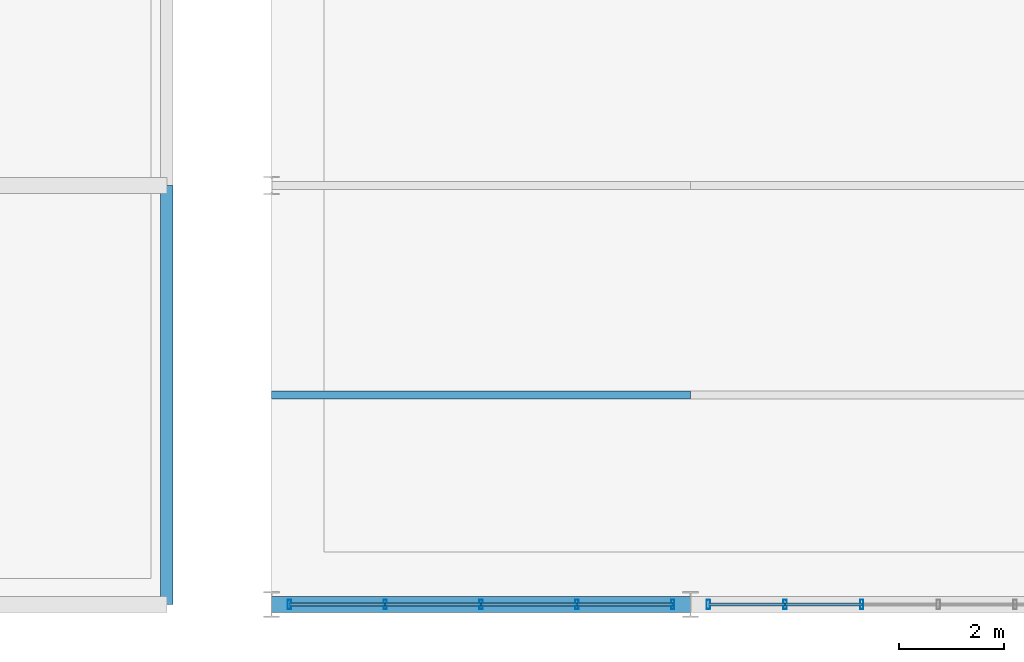
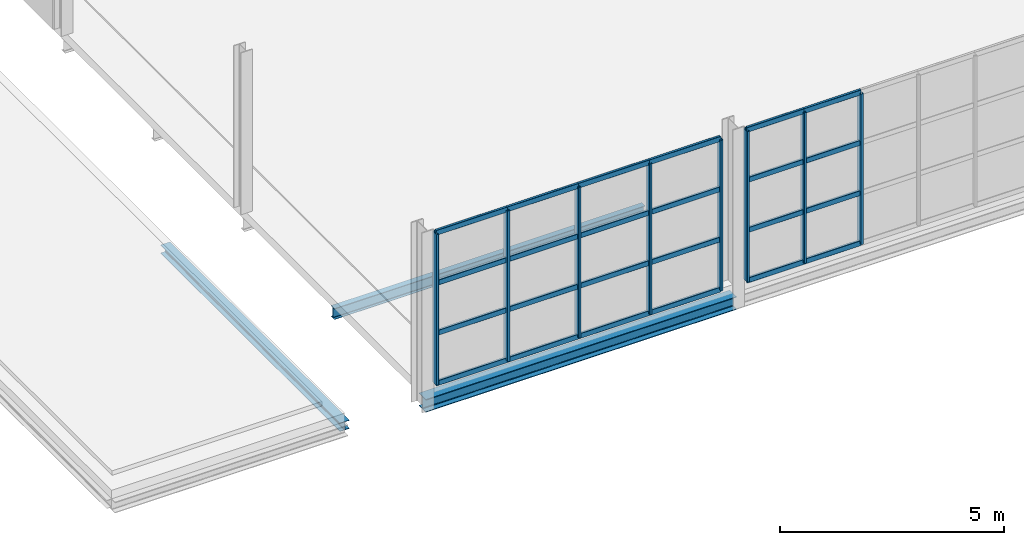
# One storey, part 66 of 153: 32 members, 3 beams, 2 elements without a shape of their own.
"""IFC4 building model written with IfcOpenShell, lengths in metres."""

from ifc_helpers import new_model, si_unit, derived_unit, direction, frame, origin, origin_2d, place, context, subcontext, project, spatial, hollow_rectangle, i_section, extrude, material, material_profile, profile_set, type_object, element, aggregate, save


model = new_model("IFC4")

# Units and contexts
model_context = context("Model", 3, precision=1e-05, world=origin(), true_north=direction((0.0, 1.0)))
body_context = subcontext(model_context, "Body", "Model", "MODEL_VIEW")
ifc_project = project(units=[si_unit("LENGTHUNIT", "METRE"), si_unit("AREAUNIT", "SQUARE_METRE"), si_unit("VOLUMEUNIT", "CUBIC_METRE"), si_unit("PLANEANGLEUNIT", "RADIAN"), si_unit("MASSUNIT", "GRAM", prefix="KILO"), derived_unit("THERMALTRANSMITTANCEUNIT", [(si_unit("POWERUNIT", "WATT"), 1), (si_unit("LENGTHUNIT", "METRE"), -2), (si_unit("THERMODYNAMICTEMPERATUREUNIT", "KELVIN"), -1)])], contexts=[model_context])

# Site, building, storey
site_placement = place(None, origin())
site = spatial("IfcSite", under=ifc_project, at=site_placement, CompositionType="ELEMENT")
building_placement = place(site_placement, origin())
building = spatial("IfcBuilding", under=site, at=building_placement, Name="Keldorne Ridge Multi-Sports Centre", CompositionType="ELEMENT")
storey_placement = place(building_placement, frame((0.0, 0.0, 9.60009765625)))
storey = spatial("IfcBuildingStorey", under=building, at=storey_placement, Name="L02", CompositionType="ELEMENT", Elevation=9.60009765625)

# Beams
ifc_material_1 = material(Name="Steel S355", Category="steel")
ifc_material_profile_1 = material_profile(ifc_material_1, i_section(OverallWidth=0.14990234375, OverallDepth=0.300048828125, WebThickness=0.007080078125, FlangeThickness=0.0107421875, FilletRadius=0.014892578125, at=origin_2d()), Name="IPE 300")
ifc_profile_set_1 = profile_set([ifc_material_profile_1], Name="Steel S355")
beam_type_1 = type_object("IfcBeamType", Name="BM-J-02", PredefinedType="JOIST", material=ifc_profile_set_1)
beam_1_placement = place(storey_placement, frame((104.0, 10.0, -0.39013671875), z_axis=(1.0, 0.0, 0.0), x_axis=(0.0, 1.0, 0.0)))
element("IfcBeam", 1, at=beam_1_placement, inside=storey, type_object=beam_type_1, Name="L02 Stacked Courts beam 1.2", PredefinedType="JOIST", context=body_context, shape_type="SweptSolid", body=[
    extrude(i_section(OverallWidth=0.14990234375, OverallDepth=0.300048828125, WebThickness=0.007080078125, FlangeThickness=0.0107421875, FilletRadius=0.014892578125, at=origin_2d()), origin(), (0.0, 0.0, 1.0), 8.0),
])
ifc_material_profile_2 = material_profile(ifc_material_1, i_section(OverallWidth=0.300048828125, OverallDepth=0.35009765625, WebThickness=0.010009765625, FlangeThickness=0.017578125, FilletRadius=0.027099609375, at=origin_2d()), Name="HEA 360")
ifc_profile_set_2 = profile_set([ifc_material_profile_2], Name="Steel S355")
beam_type_2 = type_object("IfcBeamType", Name="BM-SP-03", PredefinedType="SPANDREL", material=ifc_profile_set_2)
beam_2_placement = place(storey_placement, frame((104.0, 6.0, -0.4150390625), z_axis=(1.0, 0.0, 0.0), x_axis=(0.0, 1.0, 0.0)))
element("IfcBeam", 2, at=beam_2_placement, inside=storey, type_object=beam_type_2, Name="L02 Stacked Courts beam 1.1", PredefinedType="SPANDREL", context=body_context, shape_type="SweptSolid", body=[
    extrude(i_section(OverallWidth=0.300048828125, OverallDepth=0.35009765625, WebThickness=0.010009765625, FlangeThickness=0.017578125, FilletRadius=0.027099609375, at=origin_2d()), origin(), (0.0, 0.0, 1.0), 8.0),
])
ifc_material_profile_3 = material_profile(ifc_material_1, i_section(OverallWidth=0.239990234375, OverallDepth=0.22998046875, WebThickness=0.007568359375, FlangeThickness=0.011962890625, FilletRadius=0.02099609375, at=origin_2d()), Name="HEA 240")
ifc_profile_set_3 = profile_set([ifc_material_profile_3], Name="Steel S355")
beam_type_3 = type_object("IfcBeamType", Name="BM-SP-05", PredefinedType="SPANDREL", material=ifc_profile_set_3)
beam_3_placement = place(storey_placement, frame((102.0, 6.0, -0.34521484375), z_axis=(0.0, 1.0, 0.0), x_axis=(-1.0, 0.0, 0.0)))
element("IfcBeam", 3, at=beam_3_placement, inside=storey, type_object=beam_type_3, Name="L02 passage roof beam G15.1", PredefinedType="SPANDREL", context=body_context, shape_type="SweptSolid", body=[
    extrude(i_section(OverallWidth=0.239990234375, OverallDepth=0.22998046875, WebThickness=0.007568359375, FlangeThickness=0.011962890625, FilletRadius=0.02099609375, at=origin_2d()), origin(), (0.0, 0.0, 1.0), 8.0),
])

# Curtain wall, members
ifc_material_2 = material(Name="Anodized aluminium", Category="aluminium")
curtain_wall_type_1 = type_object("IfcCurtainWallType", Name="CW-CW-08", PredefinedType="NOTDEFINED", material=ifc_material_2)
curtain_wall_1_placement = place(storey_placement, origin())
curtain_wall_1 = element("IfcCurtainWall", 4, at=curtain_wall_1_placement, inside=storey, type_object=curtain_wall_type_1, Name="Upper Courts south curtain wall 088", PredefinedType="NOTDEFINED")
ifc_material_profile_4 = material_profile(ifc_material_2, hollow_rectangle(XDim=0.06494140625, YDim=0.179931640625, WallThickness=0.00439453125, InnerFilletRadius=0.00439453125, OuterFilletRadius=0.009033203125, at=origin_2d()), Name="ALU MULLION 180x65x4.5")
ifc_profile_set_4 = profile_set([ifc_material_profile_4], Name="Anodized aluminium")
member_type_1 = type_object("IfcMemberType", Name="MEM-ML-01", PredefinedType="MULLION", material=ifc_profile_set_4)
member_1_placement = place(storey_placement, frame((104.340087890625, 6.0, 0.0), z_axis=(0.0, 0.0, 1.0), x_axis=(1.0, 0.0, 0.0)))
member_1 = element("IfcMember", 5, at=member_1_placement, type_object=member_type_1, Name="CW-088 vertical mullion 1", PredefinedType="MULLION", context=body_context, shape_type="SweptSolid", body=[
    extrude(hollow_rectangle(XDim=0.06494140625, YDim=0.179931640625, WallThickness=0.00439453125, InnerFilletRadius=0.00439453125, OuterFilletRadius=0.009033203125, at=origin_2d()), origin(), (0.0, 0.0, 1.0), 4.099853515625),
])
member_2_placement = place(storey_placement, frame((106.169921875, 6.0, 0.0), z_axis=(0.0, 0.0, 1.0), x_axis=(1.0, 0.0, 0.0)))
member_2 = element("IfcMember", 6, at=member_2_placement, type_object=member_type_1, Name="CW-088 vertical mullion 2", PredefinedType="MULLION", context=body_context, shape_type="SweptSolid", body=[
    extrude(hollow_rectangle(XDim=0.06494140625, YDim=0.179931640625, WallThickness=0.00439453125, InnerFilletRadius=0.00439453125, OuterFilletRadius=0.009033203125, at=origin_2d()), origin(), (0.0, 0.0, 1.0), 4.099853515625),
])
member_3_placement = place(storey_placement, frame((108.0, 6.0, 0.0), z_axis=(0.0, 0.0, 1.0), x_axis=(1.0, 0.0, 0.0)))
member_3 = element("IfcMember", 7, at=member_3_placement, type_object=member_type_1, Name="CW-088 vertical mullion 3", PredefinedType="MULLION", context=body_context, shape_type="SweptSolid", body=[
    extrude(hollow_rectangle(XDim=0.06494140625, YDim=0.179931640625, WallThickness=0.00439453125, InnerFilletRadius=0.00439453125, OuterFilletRadius=0.009033203125, at=origin_2d()), origin(), (0.0, 0.0, 1.0), 4.099853515625),
])
member_4_placement = place(storey_placement, frame((109.830078125, 6.0, 0.0), z_axis=(0.0, 0.0, 1.0), x_axis=(1.0, 0.0, 0.0)))
member_4 = element("IfcMember", 8, at=member_4_placement, type_object=member_type_1, Name="CW-088 vertical mullion 4", PredefinedType="MULLION", context=body_context, shape_type="SweptSolid", body=[
    extrude(hollow_rectangle(XDim=0.06494140625, YDim=0.179931640625, WallThickness=0.00439453125, InnerFilletRadius=0.00439453125, OuterFilletRadius=0.009033203125, at=origin_2d()), origin(), (0.0, 0.0, 1.0), 4.099853515625),
])
member_5_placement = place(storey_placement, frame((111.659912109375, 6.0, 0.0), z_axis=(0.0, 0.0, 1.0), x_axis=(1.0, 0.0, 0.0)))
member_5 = element("IfcMember", 9, at=member_5_placement, type_object=member_type_1, Name="CW-088 vertical mullion 5", PredefinedType="MULLION", context=body_context, shape_type="SweptSolid", body=[
    extrude(hollow_rectangle(XDim=0.06494140625, YDim=0.179931640625, WallThickness=0.00439453125, InnerFilletRadius=0.00439453125, OuterFilletRadius=0.009033203125, at=origin_2d()), origin(), (0.0, 0.0, 1.0), 4.099853515625),
])

curtain_wall_type_2 = type_object("IfcCurtainWallType", Name="CW-CW-07", PredefinedType="NOTDEFINED", material=ifc_material_2)
curtain_wall_2_placement = place(storey_placement, origin())
curtain_wall_2 = element("IfcCurtainWall", 10, at=curtain_wall_2_placement, inside=storey, type_object=curtain_wall_type_2, Name="Upper Courts south curtain wall 095", PredefinedType="NOTDEFINED")
member_6_placement = place(storey_placement, frame((112.340087890625, 6.0, 0.0), z_axis=(0.0, 0.0, 1.0), x_axis=(1.0, 0.0, 0.0)))
member_6 = element("IfcMember", 11, at=member_6_placement, type_object=member_type_1, Name="CW-095 vertical mullion 1", PredefinedType="MULLION", context=body_context, shape_type="SweptSolid", body=[
    extrude(hollow_rectangle(XDim=0.06494140625, YDim=0.179931640625, WallThickness=0.00439453125, InnerFilletRadius=0.00439453125, OuterFilletRadius=0.009033203125, at=origin_2d()), origin(), (0.0, 0.0, 1.0), 4.099853515625),
])
member_7_placement = place(storey_placement, frame((113.803955078125, 6.0, 0.0), z_axis=(0.0, 0.0, 1.0), x_axis=(1.0, 0.0, 0.0)))
member_7 = element("IfcMember", 12, at=member_7_placement, type_object=member_type_1, Name="CW-095 vertical mullion 2", PredefinedType="MULLION", context=body_context, shape_type="SweptSolid", body=[
    extrude(hollow_rectangle(XDim=0.06494140625, YDim=0.179931640625, WallThickness=0.00439453125, InnerFilletRadius=0.00439453125, OuterFilletRadius=0.009033203125, at=origin_2d()), origin(), (0.0, 0.0, 1.0), 4.099853515625),
])
member_8_placement = place(storey_placement, frame((115.26806640625, 6.0, 0.0), z_axis=(0.0, 0.0, 1.0), x_axis=(1.0, 0.0, 0.0)))
member_8 = element("IfcMember", 13, at=member_8_placement, type_object=member_type_1, Name="CW-095 vertical mullion 3", PredefinedType="MULLION", context=body_context, shape_type="SweptSolid", body=[
    extrude(hollow_rectangle(XDim=0.06494140625, YDim=0.179931640625, WallThickness=0.00439453125, InnerFilletRadius=0.00439453125, OuterFilletRadius=0.009033203125, at=origin_2d()), origin(), (0.0, 0.0, 1.0), 4.099853515625),
])

# Member
ifc_material_profile_5 = material_profile(ifc_material_2, hollow_rectangle(XDim=0.06494140625, YDim=0.139892578125, WallThickness=0.00439453125, InnerFilletRadius=0.00439453125, OuterFilletRadius=0.009033203125, at=origin_2d()), Name="ALU TRANSOM 140x65x4.5")
ifc_profile_set_5 = profile_set([ifc_material_profile_5], Name="Anodized aluminium")
member_type_2 = type_object("IfcMemberType", Name="MEM-TR-01", PredefinedType="USERDEFINED", material=ifc_profile_set_5)
member_9_placement = place(storey_placement, frame((104.340087890625, 6.0, 0.0), z_axis=(1.0, 0.0, 0.0), x_axis=(0.0, 1.0, 0.0)))
member_9 = element("IfcMember", 14, at=member_9_placement, type_object=member_type_2, Name="CW-088 transom 1.1", ObjectType="TRANSOM", PredefinedType="USERDEFINED", context=body_context, shape_type="SweptSolid", body=[
    extrude(hollow_rectangle(XDim=0.06494140625, YDim=0.139892578125, WallThickness=0.00439453125, InnerFilletRadius=0.00439453125, OuterFilletRadius=0.009033203125, at=origin_2d()), origin(), (0.0, 0.0, 1.0), 1.829833984375),
])

member_10_placement = place(storey_placement, frame((104.340087890625, 6.0, 1.36669921875), z_axis=(1.0, 0.0, 0.0), x_axis=(0.0, 1.0, 0.0)))
member_10 = element("IfcMember", 15, at=member_10_placement, type_object=member_type_2, Name="CW-088 transom 1.2", ObjectType="TRANSOM", PredefinedType="USERDEFINED", context=body_context, shape_type="SweptSolid", body=[
    extrude(hollow_rectangle(XDim=0.06494140625, YDim=0.139892578125, WallThickness=0.00439453125, InnerFilletRadius=0.00439453125, OuterFilletRadius=0.009033203125, at=origin_2d()), origin(), (0.0, 0.0, 1.0), 1.829833984375),
])

member_11_placement = place(storey_placement, frame((104.340087890625, 6.0, 2.733154296875), z_axis=(1.0, 0.0, 0.0), x_axis=(0.0, 1.0, 0.0)))
member_11 = element("IfcMember", 16, at=member_11_placement, type_object=member_type_2, Name="CW-088 transom 1.3", ObjectType="TRANSOM", PredefinedType="USERDEFINED", context=body_context, shape_type="SweptSolid", body=[
    extrude(hollow_rectangle(XDim=0.06494140625, YDim=0.139892578125, WallThickness=0.00439453125, InnerFilletRadius=0.00439453125, OuterFilletRadius=0.009033203125, at=origin_2d()), origin(), (0.0, 0.0, 1.0), 1.829833984375),
])

member_12_placement = place(storey_placement, frame((104.340087890625, 6.0, 4.099853515625), z_axis=(1.0, 0.0, 0.0), x_axis=(0.0, 1.0, 0.0)))
member_12 = element("IfcMember", 17, at=member_12_placement, type_object=member_type_2, Name="CW-088 transom 1.4", ObjectType="TRANSOM", PredefinedType="USERDEFINED", context=body_context, shape_type="SweptSolid", body=[
    extrude(hollow_rectangle(XDim=0.06494140625, YDim=0.139892578125, WallThickness=0.00439453125, InnerFilletRadius=0.00439453125, OuterFilletRadius=0.009033203125, at=origin_2d()), origin(), (0.0, 0.0, 1.0), 1.829833984375),
])

member_13_placement = place(storey_placement, frame((106.169921875, 6.0, 0.0), z_axis=(1.0, 0.0, 0.0), x_axis=(0.0, 1.0, 0.0)))
member_13 = element("IfcMember", 18, at=member_13_placement, type_object=member_type_2, Name="CW-088 transom 2.1", ObjectType="TRANSOM", PredefinedType="USERDEFINED", context=body_context, shape_type="SweptSolid", body=[
    extrude(hollow_rectangle(XDim=0.06494140625, YDim=0.139892578125, WallThickness=0.00439453125, InnerFilletRadius=0.00439453125, OuterFilletRadius=0.009033203125, at=origin_2d()), origin(), (0.0, 0.0, 1.0), 1.830078125),
])

member_14_placement = place(storey_placement, frame((106.169921875, 6.0, 1.36669921875), z_axis=(1.0, 0.0, 0.0), x_axis=(0.0, 1.0, 0.0)))
member_14 = element("IfcMember", 19, at=member_14_placement, type_object=member_type_2, Name="CW-088 transom 2.2", ObjectType="TRANSOM", PredefinedType="USERDEFINED", context=body_context, shape_type="SweptSolid", body=[
    extrude(hollow_rectangle(XDim=0.06494140625, YDim=0.139892578125, WallThickness=0.00439453125, InnerFilletRadius=0.00439453125, OuterFilletRadius=0.009033203125, at=origin_2d()), origin(), (0.0, 0.0, 1.0), 1.830078125),
])

member_15_placement = place(storey_placement, frame((106.169921875, 6.0, 2.733154296875), z_axis=(1.0, 0.0, 0.0), x_axis=(0.0, 1.0, 0.0)))
member_15 = element("IfcMember", 20, at=member_15_placement, type_object=member_type_2, Name="CW-088 transom 2.3", ObjectType="TRANSOM", PredefinedType="USERDEFINED", context=body_context, shape_type="SweptSolid", body=[
    extrude(hollow_rectangle(XDim=0.06494140625, YDim=0.139892578125, WallThickness=0.00439453125, InnerFilletRadius=0.00439453125, OuterFilletRadius=0.009033203125, at=origin_2d()), origin(), (0.0, 0.0, 1.0), 1.830078125),
])

member_16_placement = place(storey_placement, frame((106.169921875, 6.0, 4.099853515625), z_axis=(1.0, 0.0, 0.0), x_axis=(0.0, 1.0, 0.0)))
member_16 = element("IfcMember", 21, at=member_16_placement, type_object=member_type_2, Name="CW-088 transom 2.4", ObjectType="TRANSOM", PredefinedType="USERDEFINED", context=body_context, shape_type="SweptSolid", body=[
    extrude(hollow_rectangle(XDim=0.06494140625, YDim=0.139892578125, WallThickness=0.00439453125, InnerFilletRadius=0.00439453125, OuterFilletRadius=0.009033203125, at=origin_2d()), origin(), (0.0, 0.0, 1.0), 1.830078125),
])

member_17_placement = place(storey_placement, frame((108.0, 6.0, 0.0), z_axis=(1.0, 0.0, 0.0), x_axis=(0.0, 1.0, 0.0)))
member_17 = element("IfcMember", 22, at=member_17_placement, type_object=member_type_2, Name="CW-088 transom 3.1", ObjectType="TRANSOM", PredefinedType="USERDEFINED", context=body_context, shape_type="SweptSolid", body=[
    extrude(hollow_rectangle(XDim=0.06494140625, YDim=0.139892578125, WallThickness=0.00439453125, InnerFilletRadius=0.00439453125, OuterFilletRadius=0.009033203125, at=origin_2d()), origin(), (0.0, 0.0, 1.0), 1.830078125),
])

member_18_placement = place(storey_placement, frame((108.0, 6.0, 1.36669921875), z_axis=(1.0, 0.0, 0.0), x_axis=(0.0, 1.0, 0.0)))
member_18 = element("IfcMember", 23, at=member_18_placement, type_object=member_type_2, Name="CW-088 transom 3.2", ObjectType="TRANSOM", PredefinedType="USERDEFINED", context=body_context, shape_type="SweptSolid", body=[
    extrude(hollow_rectangle(XDim=0.06494140625, YDim=0.139892578125, WallThickness=0.00439453125, InnerFilletRadius=0.00439453125, OuterFilletRadius=0.009033203125, at=origin_2d()), origin(), (0.0, 0.0, 1.0), 1.830078125),
])

member_19_placement = place(storey_placement, frame((108.0, 6.0, 2.733154296875), z_axis=(1.0, 0.0, 0.0), x_axis=(0.0, 1.0, 0.0)))
member_19 = element("IfcMember", 24, at=member_19_placement, type_object=member_type_2, Name="CW-088 transom 3.3", ObjectType="TRANSOM", PredefinedType="USERDEFINED", context=body_context, shape_type="SweptSolid", body=[
    extrude(hollow_rectangle(XDim=0.06494140625, YDim=0.139892578125, WallThickness=0.00439453125, InnerFilletRadius=0.00439453125, OuterFilletRadius=0.009033203125, at=origin_2d()), origin(), (0.0, 0.0, 1.0), 1.830078125),
])

member_20_placement = place(storey_placement, frame((108.0, 6.0, 4.099853515625), z_axis=(1.0, 0.0, 0.0), x_axis=(0.0, 1.0, 0.0)))
member_20 = element("IfcMember", 25, at=member_20_placement, type_object=member_type_2, Name="CW-088 transom 3.4", ObjectType="TRANSOM", PredefinedType="USERDEFINED", context=body_context, shape_type="SweptSolid", body=[
    extrude(hollow_rectangle(XDim=0.06494140625, YDim=0.139892578125, WallThickness=0.00439453125, InnerFilletRadius=0.00439453125, OuterFilletRadius=0.009033203125, at=origin_2d()), origin(), (0.0, 0.0, 1.0), 1.830078125),
])

member_21_placement = place(storey_placement, frame((109.830078125, 6.0, 0.0), z_axis=(1.0, 0.0, 0.0), x_axis=(0.0, 1.0, 0.0)))
member_21 = element("IfcMember", 26, at=member_21_placement, type_object=member_type_2, Name="CW-088 transom 4.1", ObjectType="TRANSOM", PredefinedType="USERDEFINED", context=body_context, shape_type="SweptSolid", body=[
    extrude(hollow_rectangle(XDim=0.06494140625, YDim=0.139892578125, WallThickness=0.00439453125, InnerFilletRadius=0.00439453125, OuterFilletRadius=0.009033203125, at=origin_2d()), origin(), (0.0, 0.0, 1.0), 1.829833984375),
])

member_22_placement = place(storey_placement, frame((109.830078125, 6.0, 1.36669921875), z_axis=(1.0, 0.0, 0.0), x_axis=(0.0, 1.0, 0.0)))
member_22 = element("IfcMember", 27, at=member_22_placement, type_object=member_type_2, Name="CW-088 transom 4.2", ObjectType="TRANSOM", PredefinedType="USERDEFINED", context=body_context, shape_type="SweptSolid", body=[
    extrude(hollow_rectangle(XDim=0.06494140625, YDim=0.139892578125, WallThickness=0.00439453125, InnerFilletRadius=0.00439453125, OuterFilletRadius=0.009033203125, at=origin_2d()), origin(), (0.0, 0.0, 1.0), 1.829833984375),
])

member_23_placement = place(storey_placement, frame((109.830078125, 6.0, 2.733154296875), z_axis=(1.0, 0.0, 0.0), x_axis=(0.0, 1.0, 0.0)))
member_23 = element("IfcMember", 28, at=member_23_placement, type_object=member_type_2, Name="CW-088 transom 4.3", ObjectType="TRANSOM", PredefinedType="USERDEFINED", context=body_context, shape_type="SweptSolid", body=[
    extrude(hollow_rectangle(XDim=0.06494140625, YDim=0.139892578125, WallThickness=0.00439453125, InnerFilletRadius=0.00439453125, OuterFilletRadius=0.009033203125, at=origin_2d()), origin(), (0.0, 0.0, 1.0), 1.829833984375),
])

member_24_placement = place(storey_placement, frame((109.830078125, 6.0, 4.099853515625), z_axis=(1.0, 0.0, 0.0), x_axis=(0.0, 1.0, 0.0)))
member_24 = element("IfcMember", 29, at=member_24_placement, type_object=member_type_2, Name="CW-088 transom 4.4", ObjectType="TRANSOM", PredefinedType="USERDEFINED", context=body_context, shape_type="SweptSolid", body=[
    extrude(hollow_rectangle(XDim=0.06494140625, YDim=0.139892578125, WallThickness=0.00439453125, InnerFilletRadius=0.00439453125, OuterFilletRadius=0.009033203125, at=origin_2d()), origin(), (0.0, 0.0, 1.0), 1.829833984375),
])

aggregate(curtain_wall_1, [member_1, member_2, member_3, member_4, member_5, member_9, member_10, member_11, member_12, member_13, member_14, member_15, member_16, member_17, member_18, member_19, member_20, member_21, member_22, member_23, member_24])

member_25_placement = place(storey_placement, frame((112.340087890625, 6.0, 0.0), z_axis=(1.0, 0.0, 0.0), x_axis=(0.0, 1.0, 0.0)))
member_25 = element("IfcMember", 30, at=member_25_placement, type_object=member_type_2, Name="CW-095 transom 1.1", ObjectType="TRANSOM", PredefinedType="USERDEFINED", context=body_context, shape_type="SweptSolid", body=[
    extrude(hollow_rectangle(XDim=0.06494140625, YDim=0.139892578125, WallThickness=0.00439453125, InnerFilletRadius=0.00439453125, OuterFilletRadius=0.009033203125, at=origin_2d()), origin(), (0.0, 0.0, 1.0), 1.4638671875),
])

member_26_placement = place(storey_placement, frame((112.340087890625, 6.0, 1.36669921875), z_axis=(1.0, 0.0, 0.0), x_axis=(0.0, 1.0, 0.0)))
member_26 = element("IfcMember", 31, at=member_26_placement, type_object=member_type_2, Name="CW-095 transom 1.2", ObjectType="TRANSOM", PredefinedType="USERDEFINED", context=body_context, shape_type="SweptSolid", body=[
    extrude(hollow_rectangle(XDim=0.06494140625, YDim=0.139892578125, WallThickness=0.00439453125, InnerFilletRadius=0.00439453125, OuterFilletRadius=0.009033203125, at=origin_2d()), origin(), (0.0, 0.0, 1.0), 1.4638671875),
])

member_27_placement = place(storey_placement, frame((112.340087890625, 6.0, 2.733154296875), z_axis=(1.0, 0.0, 0.0), x_axis=(0.0, 1.0, 0.0)))
member_27 = element("IfcMember", 32, at=member_27_placement, type_object=member_type_2, Name="CW-095 transom 1.3", ObjectType="TRANSOM", PredefinedType="USERDEFINED", context=body_context, shape_type="SweptSolid", body=[
    extrude(hollow_rectangle(XDim=0.06494140625, YDim=0.139892578125, WallThickness=0.00439453125, InnerFilletRadius=0.00439453125, OuterFilletRadius=0.009033203125, at=origin_2d()), origin(), (0.0, 0.0, 1.0), 1.4638671875),
])

member_28_placement = place(storey_placement, frame((112.340087890625, 6.0, 4.099853515625), z_axis=(1.0, 0.0, 0.0), x_axis=(0.0, 1.0, 0.0)))
member_28 = element("IfcMember", 33, at=member_28_placement, type_object=member_type_2, Name="CW-095 transom 1.4", ObjectType="TRANSOM", PredefinedType="USERDEFINED", context=body_context, shape_type="SweptSolid", body=[
    extrude(hollow_rectangle(XDim=0.06494140625, YDim=0.139892578125, WallThickness=0.00439453125, InnerFilletRadius=0.00439453125, OuterFilletRadius=0.009033203125, at=origin_2d()), origin(), (0.0, 0.0, 1.0), 1.4638671875),
])

member_29_placement = place(storey_placement, frame((113.803955078125, 6.0, 0.0), z_axis=(1.0, 0.0, 0.0), x_axis=(0.0, 1.0, 0.0)))
member_29 = element("IfcMember", 34, at=member_29_placement, type_object=member_type_2, Name="CW-095 transom 2.1", ObjectType="TRANSOM", PredefinedType="USERDEFINED", context=body_context, shape_type="SweptSolid", body=[
    extrude(hollow_rectangle(XDim=0.06494140625, YDim=0.139892578125, WallThickness=0.00439453125, InnerFilletRadius=0.00439453125, OuterFilletRadius=0.009033203125, at=origin_2d()), origin(), (0.0, 0.0, 1.0), 1.464111328125),
])

member_30_placement = place(storey_placement, frame((113.803955078125, 6.0, 1.36669921875), z_axis=(1.0, 0.0, 0.0), x_axis=(0.0, 1.0, 0.0)))
member_30 = element("IfcMember", 35, at=member_30_placement, type_object=member_type_2, Name="CW-095 transom 2.2", ObjectType="TRANSOM", PredefinedType="USERDEFINED", context=body_context, shape_type="SweptSolid", body=[
    extrude(hollow_rectangle(XDim=0.06494140625, YDim=0.139892578125, WallThickness=0.00439453125, InnerFilletRadius=0.00439453125, OuterFilletRadius=0.009033203125, at=origin_2d()), origin(), (0.0, 0.0, 1.0), 1.464111328125),
])

member_31_placement = place(storey_placement, frame((113.803955078125, 6.0, 2.733154296875), z_axis=(1.0, 0.0, 0.0), x_axis=(0.0, 1.0, 0.0)))
member_31 = element("IfcMember", 36, at=member_31_placement, type_object=member_type_2, Name="CW-095 transom 2.3", ObjectType="TRANSOM", PredefinedType="USERDEFINED", context=body_context, shape_type="SweptSolid", body=[
    extrude(hollow_rectangle(XDim=0.06494140625, YDim=0.139892578125, WallThickness=0.00439453125, InnerFilletRadius=0.00439453125, OuterFilletRadius=0.009033203125, at=origin_2d()), origin(), (0.0, 0.0, 1.0), 1.464111328125),
])

member_32_placement = place(storey_placement, frame((113.803955078125, 6.0, 4.099853515625), z_axis=(1.0, 0.0, 0.0), x_axis=(0.0, 1.0, 0.0)))
member_32 = element("IfcMember", 37, at=member_32_placement, type_object=member_type_2, Name="CW-095 transom 2.4", ObjectType="TRANSOM", PredefinedType="USERDEFINED", context=body_context, shape_type="SweptSolid", body=[
    extrude(hollow_rectangle(XDim=0.06494140625, YDim=0.139892578125, WallThickness=0.00439453125, InnerFilletRadius=0.00439453125, OuterFilletRadius=0.009033203125, at=origin_2d()), origin(), (0.0, 0.0, 1.0), 1.464111328125),
])

aggregate(curtain_wall_2, [member_6, member_7, member_8, member_25, member_26, member_27, member_28, member_29, member_30, member_31, member_32])

save(model, "model.ifc")
